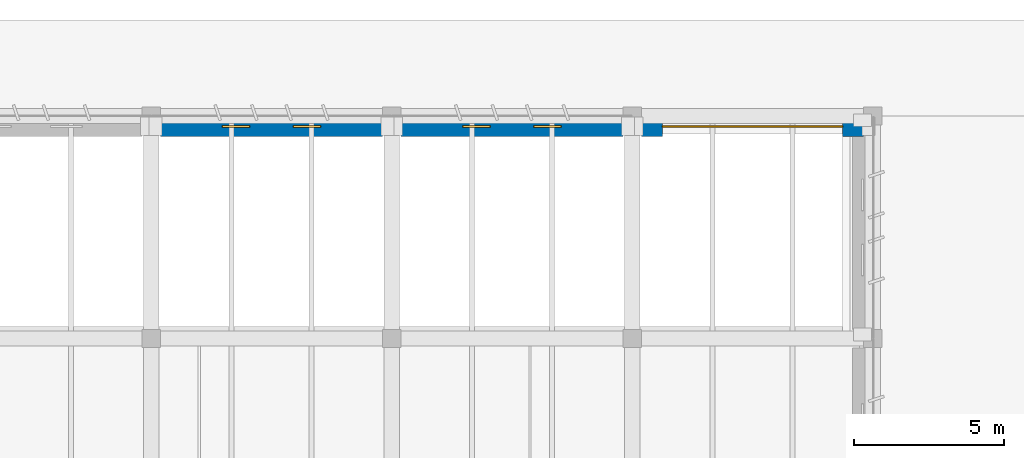
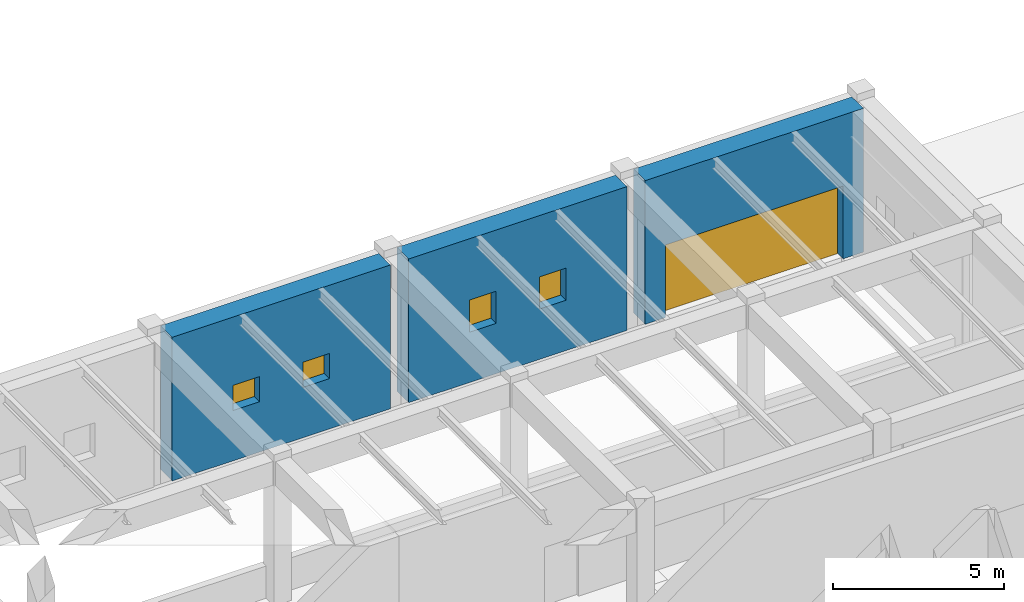
# One storey, part 24 of 56: 4 windows, 3 walls, 1 door, 5 openings.
"""IFC4 building model written with IfcOpenShell, lengths in metres."""

from ifc_helpers import new_model, si_unit, direction, frame, frame_2d, origin, place, context, subcontext, project, spatial, rectangle, extrude, material, layer, layer_set, type_object, element, fill, save


model = new_model("IFC4")

# Units and contexts
model_context = context("Model", 3, precision=1e-05, world=origin(), true_north=direction((0.0, 1.0)))
body_context = subcontext(model_context, "Body", "Model", "MODEL_VIEW")
ifc_project = project(units=[si_unit("LENGTHUNIT", "METRE"), si_unit("AREAUNIT", "SQUARE_METRE"), si_unit("VOLUMEUNIT", "CUBIC_METRE"), si_unit("PLANEANGLEUNIT", "RADIAN"), si_unit("MASSUNIT", "GRAM", prefix="KILO")], contexts=[model_context])

# Site, building, storey
site_placement = place(None, origin())
site = spatial("IfcSite", under=ifc_project, at=site_placement, CompositionType="ELEMENT")
building_placement = place(site_placement, origin())
building = spatial("IfcBuilding", under=site, at=building_placement, Name="Valkorina Park Police Headquarters", CompositionType="ELEMENT")
storey_placement = place(building_placement, origin())
storey = spatial("IfcBuildingStorey", under=building, at=storey_placement, Name="L01", CompositionType="ELEMENT", Elevation=0.0)

# Wall, openings, windows
ifc_material_1 = material(Name="Precast concrete C40/50", Category="concrete")
ifc_layer_1 = layer(ifc_material_1, 0.679931640625)
ifc_layer_set_1 = layer_set([ifc_layer_1], Name="Precast concrete C40/50")
wall_type = type_object("IfcWallType", Name="WL-EXT-DOLOMITE-680", PredefinedType="SOLIDWALL", material=ifc_layer_set_1)
wall_1_placement = place(storey_placement, frame((33.110107421875, 110.659912109375, 0.0), z_axis=(0.0, 0.0, 1.0), x_axis=(1.0, 0.0, 0.0)))
wall_1 = element("IfcWall", 1, at=wall_1_placement, inside=storey, type_object=wall_type, Name="L01 Architectural Concrete Exterior Wall 0028", PredefinedType="SOLIDWALL", context=body_context, shape_type="SweptSolid", body=[
    extrude(rectangle(XDim=7.3798828125, YDim=0.679931640625, at=frame_2d((3.68994140625, 0.0))), origin(), (0.0, 0.0, 1.0), 5.139892578125),
])
opening_1_placement = place(wall_1_placement, frame((2.05908203125, 0.0, 1.800048828125)))
opening_1 = element("IfcOpeningElement", 2, at=opening_1_placement, cuts=wall_1, Name="Opening WN-13", PredefinedType="OPENING", context=body_context, shape_type="SweptSolid", body=[
    extrude(rectangle(XDim=0.89990234375, YDim=0.89990234375, at=frame_2d((0.449951171875, 0.449951171875))), frame((0.0, 0.35009765625, 0.0), z_axis=(0.0, -1.0, 0.0), x_axis=(1.0, 0.0, 0.0)), (0.0, 0.0, 1.0), 0.699951171875),
])
opening_2_placement = place(wall_1_placement, frame((4.4208984375, 0.0, 1.800048828125)))
opening_2 = element("IfcOpeningElement", 3, at=opening_2_placement, cuts=wall_1, Name="Opening WN-13", PredefinedType="OPENING", context=body_context, shape_type="SweptSolid", body=[
    extrude(rectangle(XDim=0.89990234375, YDim=0.89990234375, at=frame_2d((0.449951171875, 0.449951171875))), frame((0.0, 0.35009765625, 0.0), z_axis=(0.0, -1.0, 0.0), x_axis=(1.0, 0.0, 0.0)), (0.0, 0.0, 1.0), 0.699951171875),
])
ifc_material_2 = material(Name="Ballistic laminated glazing BR4-NS", Category="glass")
ifc_layer_2 = layer(ifc_material_2, 0.06005859375)
ifc_layer_set_2 = layer_set([ifc_layer_2], Name="Ballistic laminated glazing BR4-NS")
window_type_1 = type_object("IfcWindowType", Name="WN-CUST-900x900", PartitioningType="SINGLE_PANEL", PredefinedType="WINDOW", material=ifc_layer_set_2)
window_1_placement = place(opening_1_placement, origin())
window_1 = element("IfcWindow", 4, at=window_1_placement, inside=storey, type_object=window_type_1, Name="Window L01-0047", OverallHeight=0.89990234375, OverallWidth=0.89990234375, PartitioningType="SINGLE_PANEL", PredefinedType="WINDOW", context=body_context, shape_type="SweptSolid", body=[
    extrude(rectangle(XDim=0.89990234375, YDim=0.89990234375, at=frame_2d((0.449951171875, 0.449951171875))), frame((0.0, 0.030029296875, 0.0), z_axis=(0.0, -1.0, 0.0), x_axis=(1.0, 0.0, 0.0)), (0.0, 0.0, 1.0), 0.06005859375),
])
fill(opening_1, window_1)
window_2_placement = place(opening_2_placement, origin())
window_2 = element("IfcWindow", 5, at=window_2_placement, inside=storey, type_object=window_type_1, Name="Window L01-0048", OverallHeight=0.89990234375, OverallWidth=0.89990234375, PartitioningType="SINGLE_PANEL", PredefinedType="WINDOW", context=body_context, shape_type="SweptSolid", body=[
    extrude(rectangle(XDim=0.89990234375, YDim=0.89990234375, at=frame_2d((0.449951171875, 0.449951171875))), frame((0.0, 0.030029296875, 0.0), z_axis=(0.0, -1.0, 0.0), x_axis=(1.0, 0.0, 0.0)), (0.0, 0.0, 1.0), 0.06005859375),
])
fill(opening_2, window_2)

wall_2_placement = place(storey_placement, frame((41.110107421875, 110.659912109375, 0.0), z_axis=(0.0, 0.0, 1.0), x_axis=(1.0, 0.0, 0.0)))
wall_2 = element("IfcWall", 6, at=wall_2_placement, inside=storey, type_object=wall_type, Name="L01 Architectural Concrete Exterior Wall 0029", PredefinedType="SOLIDWALL", context=body_context, shape_type="SweptSolid", body=[
    extrude(rectangle(XDim=7.3798828125, YDim=0.679931640625, at=frame_2d((3.68994140625, 0.0))), origin(), (0.0, 0.0, 1.0), 5.139892578125),
])
opening_3_placement = place(wall_2_placement, frame((2.05908203125, 0.0, 1.800048828125)))
opening_3 = element("IfcOpeningElement", 7, at=opening_3_placement, cuts=wall_2, Name="Opening WN-14", PredefinedType="OPENING", context=body_context, shape_type="SweptSolid", body=[
    extrude(rectangle(XDim=0.89990234375, YDim=1.14990234375, at=frame_2d((0.449951171875, 0.574951171875))), frame((0.0, 0.35009765625, 0.0), z_axis=(0.0, -1.0, 0.0), x_axis=(1.0, 0.0, 0.0)), (0.0, 0.0, 1.0), 0.699951171875),
])
opening_4_placement = place(wall_2_placement, frame((4.4208984375, 0.0, 1.800048828125)))
opening_4 = element("IfcOpeningElement", 8, at=opening_4_placement, cuts=wall_2, Name="Opening WN-14", PredefinedType="OPENING", context=body_context, shape_type="SweptSolid", body=[
    extrude(rectangle(XDim=0.89990234375, YDim=1.14990234375, at=frame_2d((0.449951171875, 0.574951171875))), frame((0.0, 0.35009765625, 0.0), z_axis=(0.0, -1.0, 0.0), x_axis=(1.0, 0.0, 0.0)), (0.0, 0.0, 1.0), 0.699951171875),
])
ifc_layer_3 = layer(ifc_material_2, 0.06005859375)
ifc_layer_set_3 = layer_set([ifc_layer_3], Name="Ballistic laminated glazing BR4-NS")
window_type_2 = type_object("IfcWindowType", Name="WN-CUST-900x1150", PartitioningType="SINGLE_PANEL", PredefinedType="WINDOW", material=ifc_layer_set_3)
window_3_placement = place(opening_3_placement, origin())
window_3 = element("IfcWindow", 9, at=window_3_placement, inside=storey, type_object=window_type_2, Name="Window L01-0049", OverallHeight=1.14990234375, OverallWidth=0.89990234375, PartitioningType="SINGLE_PANEL", PredefinedType="WINDOW", context=body_context, shape_type="SweptSolid", body=[
    extrude(rectangle(XDim=0.89990234375, YDim=1.14990234375, at=frame_2d((0.449951171875, 0.574951171875))), frame((0.0, 0.030029296875, 0.0), z_axis=(0.0, -1.0, 0.0), x_axis=(1.0, 0.0, 0.0)), (0.0, 0.0, 1.0), 0.06005859375),
])
fill(opening_3, window_3)
window_4_placement = place(opening_4_placement, origin())
window_4 = element("IfcWindow", 10, at=window_4_placement, inside=storey, type_object=window_type_2, Name="Window L01-0050", OverallHeight=1.14990234375, OverallWidth=0.89990234375, PartitioningType="SINGLE_PANEL", PredefinedType="WINDOW", context=body_context, shape_type="SweptSolid", body=[
    extrude(rectangle(XDim=0.89990234375, YDim=1.14990234375, at=frame_2d((0.449951171875, 0.574951171875))), frame((0.0, 0.030029296875, 0.0), z_axis=(0.0, -1.0, 0.0), x_axis=(1.0, 0.0, 0.0)), (0.0, 0.0, 1.0), 0.06005859375),
])
fill(opening_4, window_4)

# Wall, opening, door
wall_3_placement = place(storey_placement, frame((49.110107421875, 110.659912109375, 0.0), z_axis=(0.0, 0.0, 1.0), x_axis=(1.0, 0.0, 0.0)))
wall_3 = element("IfcWall", 11, at=wall_3_placement, inside=storey, type_object=wall_type, Name="L01 Architectural Concrete Exterior Wall 0030", PredefinedType="SOLIDWALL", context=body_context, shape_type="SweptSolid", body=[
    extrude(rectangle(XDim=7.3798828125, YDim=0.679931640625, at=frame_2d((3.68994140625, 0.0))), origin(), (0.0, 0.0, 1.0), 5.139892578125),
])
opening_5_placement = place(wall_3_placement, frame((0.68994140625, 0.0, 0.0)))
opening_5 = element("IfcOpeningElement", 12, at=opening_5_placement, cuts=wall_3, Name="Opening VG-01", PredefinedType="OPENING", context=body_context, shape_type="SweptSolid", body=[
    extrude(rectangle(XDim=6.0, YDim=2.60009765625, at=frame_2d((3.0, 1.300048828125))), frame((0.0, 0.35009765625, 0.0), z_axis=(0.0, -1.0, 0.0), x_axis=(1.0, 0.0, 0.0)), (0.0, 0.0, 1.0), 0.699951171875),
])
ifc_material_3 = material(Name="Galvanized steel door leaf", Category="steel")
ifc_layer_4 = layer(ifc_material_3, 0.050048828125)
ifc_layer_set_4 = layer_set([ifc_layer_4], Name="Galvanized steel door leaf")
door_type = type_object("IfcDoorType", Name="DR-SHUTTER-RAMP-6000x2600", OperationType="NOTDEFINED", PredefinedType="USERDEFINED", material=ifc_layer_set_4)
door_placement = place(opening_5_placement, origin())
door = element("IfcDoor", 13, at=door_placement, inside=storey, type_object=door_type, Name="Door D-L01-005 (VG-01 Car Park Roller Shutter)", ObjectType="ROLLER SHUTTER", OperationType="ROLLINGUP", OverallHeight=2.60009765625, OverallWidth=6.0, PredefinedType="USERDEFINED", context=body_context, shape_type="SweptSolid", body=[
    extrude(rectangle(XDim=6.0, YDim=2.60009765625, at=frame_2d((3.0, 1.300048828125))), frame((0.0, 0.02490234375, 0.0), z_axis=(0.0, -1.0, 0.0), x_axis=(1.0, 0.0, 0.0)), (0.0, 0.0, 1.0), 0.050048828125),
])
fill(opening_5, door)

save(model, "model.ifc")
